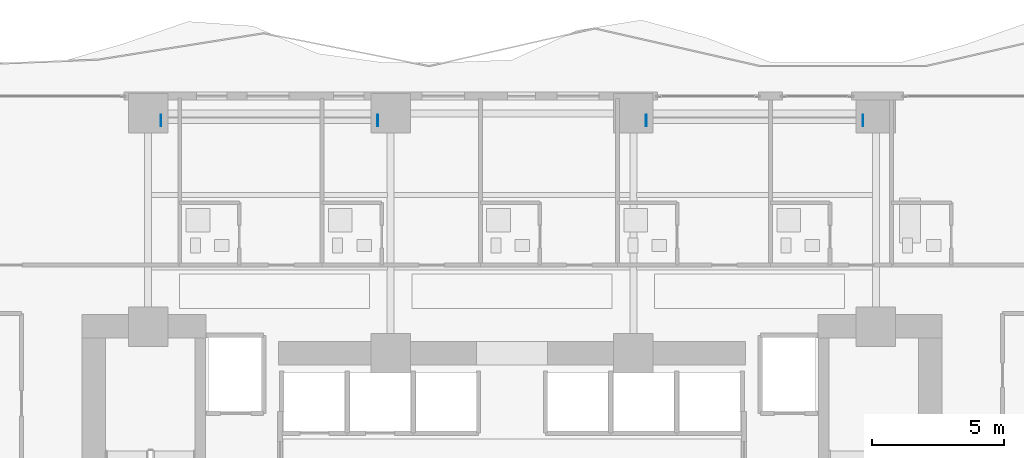
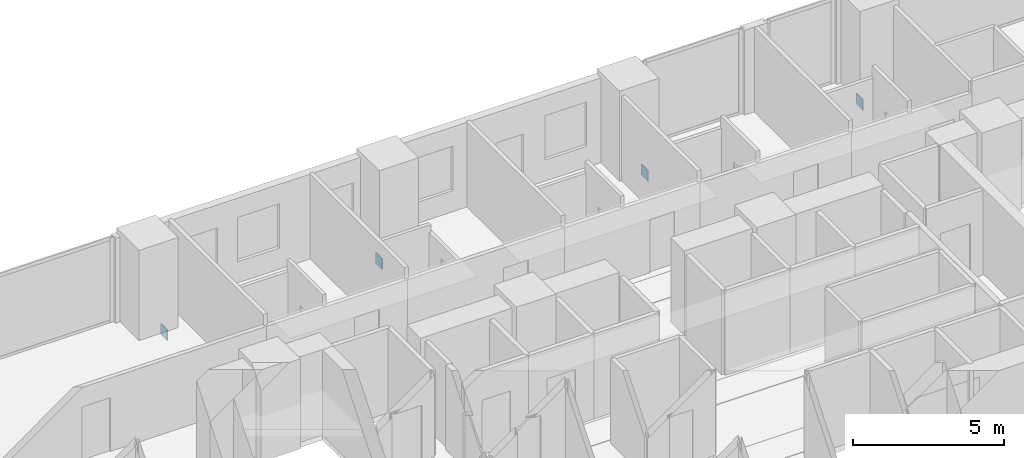
# One storey, part 19 of 30: 4 plates.
"""IFC4 building model written with IfcOpenShell, lengths in metres."""

from ifc_helpers import new_model, si_unit, direction, frame, origin, origin_2d, place, context, subcontext, project, spatial, rectangle, extrude, material, layer, layer_set, type_object, element, save


model = new_model("IFC4")

# Units and contexts
model_context = context("Model", 3, precision=1e-05, world=origin(), true_north=direction((0.0, 1.0)))
body_context = subcontext(model_context, "Body", "Model", "MODEL_VIEW")
ifc_project = project(units=[si_unit("LENGTHUNIT", "METRE"), si_unit("AREAUNIT", "SQUARE_METRE"), si_unit("VOLUMEUNIT", "CUBIC_METRE"), si_unit("PLANEANGLEUNIT", "RADIAN"), si_unit("MASSUNIT", "GRAM", prefix="KILO")], contexts=[model_context])

# Site, building, storey
site_placement = place(None, origin())
site = spatial("IfcSite", under=ifc_project, at=site_placement, CompositionType="ELEMENT")
building_placement = place(site_placement, origin())
building = spatial("IfcBuilding", under=site, at=building_placement, Name="Zuhayl Quay Hotel", CompositionType="ELEMENT")
storey_placement = place(building_placement, frame((0.0, 0.0, 27.60009765625)))
storey = spatial("IfcBuildingStorey", under=building, at=storey_placement, Name="L05", CompositionType="ELEMENT", Elevation=27.60009765625)

# Plates
ifc_material = material(Name="Steel ASTM A572 Grade 50", Category="steel")
ifc_layer = layer(ifc_material, 0.030029296875, Name="Steel ASTM A572 Grade 50", Category="steel")
ifc_layer_set = layer_set([ifc_layer], Name="Steel ASTM A572 Grade 50")
plate_type = type_object("IfcPlateType", Name="TP_CAP_PLATE_30", PredefinedType="USERDEFINED", material=ifc_layer_set)
for number, where, z_axis, x_axis, name in (
    (1, (-13.31201171875, 22.169921875, -0.590087890625), (0.0, 0.0, 1.0), (-1.0, 0.0, 0.0), "Truss Node Cap Assembly KN2"),
    (2, (-5.087890625, 22.169921875, -0.590087890625), (0.0, 0.0, 1.0), (1.0, 0.0, 0.0), "Truss Node Cap Assembly KN2"),
    (3, (5.087890625, 22.169921875, -0.590087890625), (0.0, 0.0, 1.0), (-1.0, 0.0, 0.0), "Truss Node Cap Assembly KN2"),
    (4, (13.31201171875, 22.169921875, -0.590087890625), (0.0, 0.0, 1.0), (1.0, 0.0, 0.0), "Truss Node Cap Assembly KN2"),
):
    element("IfcPlate", number, at=place(storey_placement, frame(where, z_axis=z_axis, x_axis=x_axis)), inside=storey, type_object=plate_type, Name=name, ObjectType="GUSSET PLATE", PredefinedType="USERDEFINED", context=body_context, shape_type="SweptSolid", body=[
        extrude(rectangle(XDim=0.030029296875, YDim=0.43994140625, at=origin_2d()), origin(), (0.0, 0.0, 1.0), 0.43994140625),
    ])

save(model, "model.ifc")
